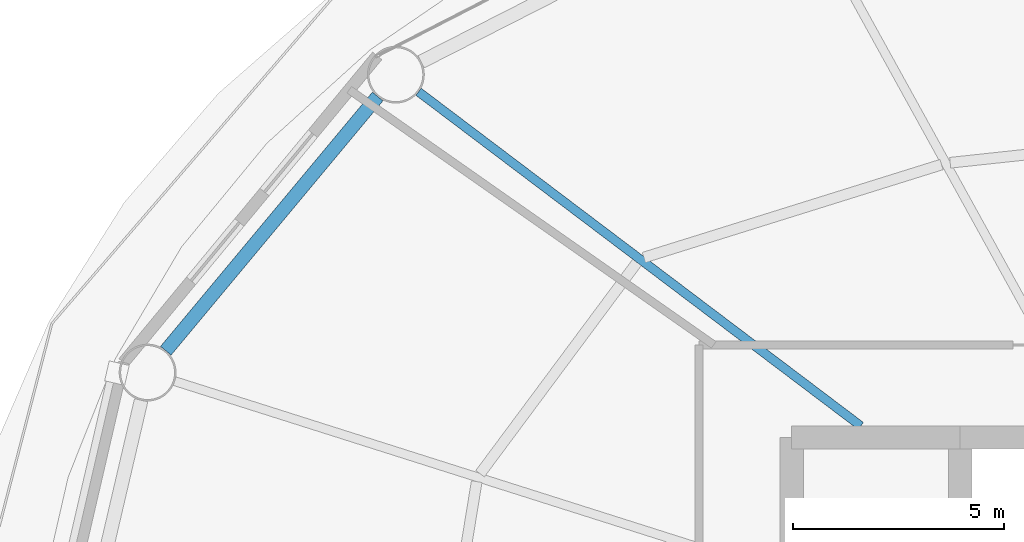
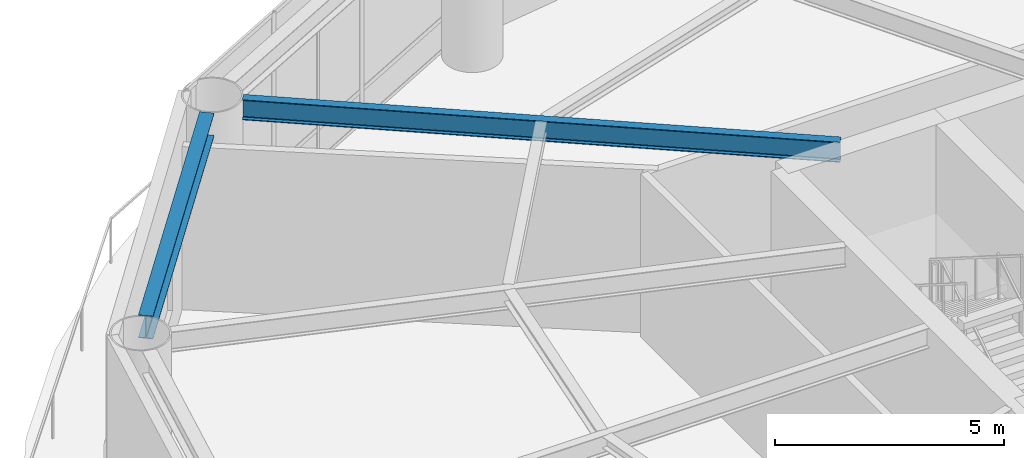
# One storey, part 10 of 25: 2 beams.
"""IFC4 building model written with IfcOpenShell, lengths in metres."""

from ifc_helpers import new_model, si_unit, direction, frame, origin, origin_2d, place, context, subcontext, project, spatial, i_section, extrude, material, material_profile, profile_set, type_object, element, save


model = new_model("IFC4")

# Units and contexts
model_context = context("Model", 3, precision=1e-05, world=origin(), true_north=direction((0.0, 1.0)))
body_context = subcontext(model_context, "Body", "Model", "MODEL_VIEW")
ifc_project = project(units=[si_unit("LENGTHUNIT", "METRE"), si_unit("AREAUNIT", "SQUARE_METRE"), si_unit("VOLUMEUNIT", "CUBIC_METRE"), si_unit("PLANEANGLEUNIT", "RADIAN"), si_unit("MASSUNIT", "GRAM", prefix="KILO")], contexts=[model_context])

# Site, building, storey
site_placement = place(None, origin())
site = spatial("IfcSite", under=ifc_project, at=site_placement, CompositionType="ELEMENT")
building_placement = place(site_placement, origin())
building = spatial("IfcBuilding", under=site, at=building_placement, Name="Sarneth Arch Tower", CompositionType="ELEMENT")
storey_placement = place(building_placement, frame((0.0, 0.0, 134.39990234375)))
storey = spatial("IfcBuildingStorey", under=building, at=storey_placement, Name="L34", CompositionType="ELEMENT", Elevation=134.39990234375)

# Beams
ifc_material_1 = material(Name="Steel S355", Category="steel")
ifc_material_profile_1 = material_profile(ifc_material_1, i_section(OverallWidth=0.2109375, OverallDepth=0.5390625, WebThickness=0.01171875, FlangeThickness=0.018798828125, FilletRadius=0.01806640625, at=origin_2d()), Name="W530x109")
ifc_profile_set_1 = profile_set([ifc_material_profile_1], Name="Steel S355")
beam_type_1 = type_object("IfcBeamType", Name="BM-RAD-530B", PredefinedType="BEAM", material=ifc_profile_set_1)
beam_1_placement = place(storey_placement, frame((38.63818359375, 49.074951171875, 4.780517578125), z_axis=(-0.797801476102, 0.602920230818, 0.0), x_axis=(-0.602920230818, -0.797801476102, 0.0)))
element("IfcBeam", 1, at=beam_1_placement, inside=storey, type_object=beam_type_1, Name="L34 Radial floor girder 07", PredefinedType="BEAM", context=body_context, shape_type="SweptSolid", body=[
    extrude(i_section(OverallWidth=0.2109375, OverallDepth=0.5390625, WebThickness=0.01171875, FlangeThickness=0.018798828125, FilletRadius=0.01806640625, at=origin_2d()), origin(), (0.0, 0.0, 1.0), 13.15771484375),
])
ifc_material_2 = material(Name="Steel S355", Category="steel")
ifc_material_profile_2 = material_profile(ifc_material_2, i_section(OverallWidth=0.323974609375, OverallDepth=0.611083984375, WebThickness=0.0126953125, FlangeThickness=0.01904296875, FilletRadius=0.01904296875, at=origin_2d()), Name="W610x155")
ifc_profile_set_2 = profile_set([ifc_material_profile_2], Name="Steel S355")
beam_type_2 = type_object("IfcBeamType", Name="BM-SPAN-610B", PredefinedType="SPANDREL", material=ifc_profile_set_2)
beam_2_placement = place(storey_placement, frame((27.170166015625, 56.896484375, 4.74462890625), z_axis=(-0.640169116175, -0.768234015581, 0.0), x_axis=(0.768234015581, -0.640169116175, 0.0)))
element("IfcBeam", 2, at=beam_2_placement, inside=storey, type_object=beam_type_2, Name="L34 Perimeter spandrel beam 07", PredefinedType="SPANDREL", context=body_context, shape_type="SweptSolid", body=[
    extrude(i_section(OverallWidth=0.323974609375, OverallDepth=0.611083984375, WebThickness=0.0126953125, FlangeThickness=0.01904296875, FilletRadius=0.01904296875, at=origin_2d()), origin(), (0.0, 0.0, 1.0), 7.856201171875),
])

save(model, "model.ifc")
